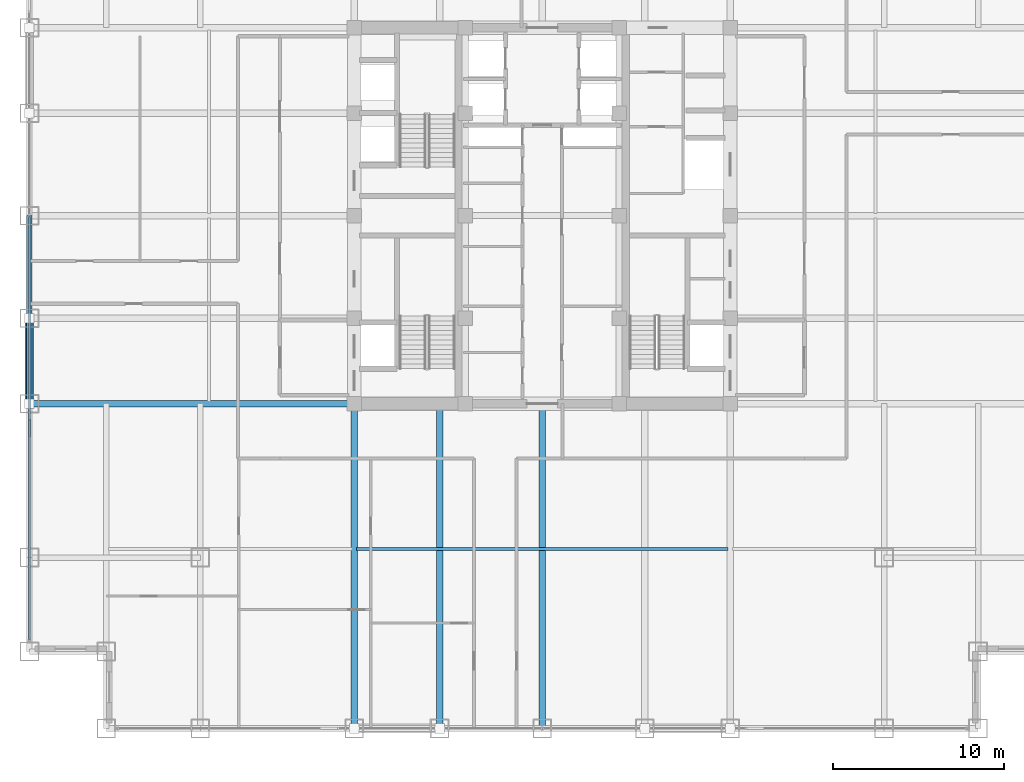
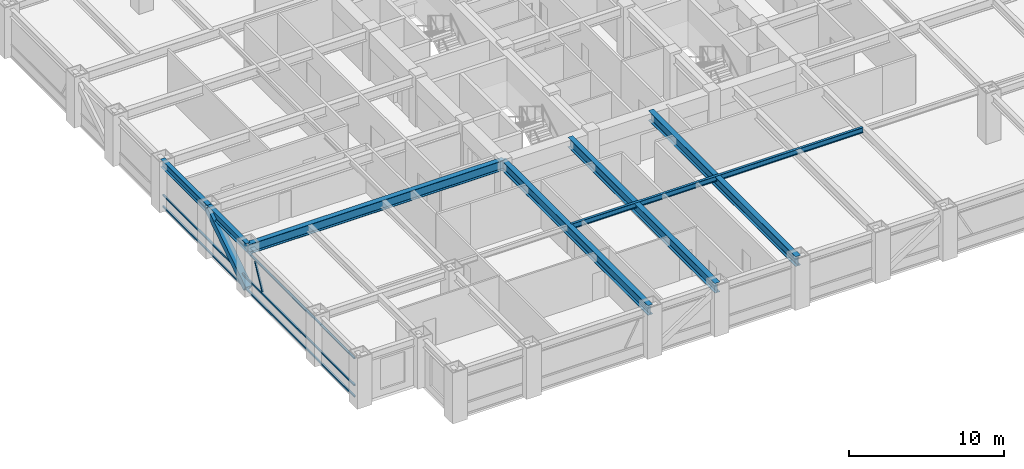
# One storey, part 5 of 24: 7 beams, 5 members, 1 element without a shape of its own.
"""IFC4 building model written with IfcOpenShell, lengths in metres."""

from ifc_helpers import new_model, si_unit, direction, frame, origin, origin_2d, place, context, subcontext, project, spatial, hollow_rectangle, i_section, extrude, source, transform, mapped, material, material_profile, profile_set, type_object, element, aggregate, save


model = new_model("IFC4")

# Units and contexts
model_context = context("Model", 3, precision=1e-05, world=origin(), true_north=direction((0.0, 1.0)))
body_context = subcontext(model_context, "Body", "Model", "MODEL_VIEW")
ifc_project = project(units=[si_unit("LENGTHUNIT", "METRE"), si_unit("AREAUNIT", "SQUARE_METRE"), si_unit("VOLUMEUNIT", "CUBIC_METRE"), si_unit("PLANEANGLEUNIT", "RADIAN"), si_unit("MASSUNIT", "GRAM", prefix="KILO")], contexts=[model_context])

# Site, building, storey
site_placement = place(None, origin())
site = spatial("IfcSite", under=ifc_project, at=site_placement, CompositionType="ELEMENT")
building_placement = place(site_placement, origin())
building = spatial("IfcBuilding", under=site, at=building_placement, Name="Khorayat Bourse Tower", CompositionType="ELEMENT")
storey_placement = place(building_placement, frame((0.0, 0.0, 171.10009765625)))
storey = spatial("IfcBuildingStorey", under=building, at=storey_placement, Name="L39", CompositionType="ELEMENT", Elevation=171.10009765625)

# Beams
ifc_material_1 = material(Name="Steel ASTM A992 Grade 50", Category="steel")
ifc_material_profile_1 = material_profile(ifc_material_1, i_section(OverallWidth=0.381103515625, OverallDepth=0.77294921875, WebThickness=0.0166015625, FlangeThickness=0.027587890625, FilletRadius=0.01806640625, at=origin_2d()), Name="W760X257")
ifc_profile_set_1 = profile_set([ifc_material_profile_1], Name="Steel ASTM A992 Grade 50")
beam_type_1 = type_object("IfcBeamType", Name="BM-GIRD-760", PredefinedType="BEAM", material=ifc_profile_set_1)
shared_shape_1 = source(origin(), body_context, "Body", "SweptSolid", [
    extrude(i_section(OverallWidth=0.381103515625, OverallDepth=0.77294921875, WebThickness=0.0166015625, FlangeThickness=0.027587890625, FilletRadius=0.01806640625, at=origin_2d()), origin(), (0.0, 0.0, 1.0), 19.0),
])
for number, where, z_axis, x_axis, name in (
    (1, (-11.0, -30.0, 3.393310546875), (0.0, 1.0, 0.0), (-1.0, 0.0, 0.0), "L39 BM-GIRD-760 BM-L39-RADY-065"),
    (2, (-6.0, -30.0, 3.393310546875), (0.0, 1.0, 0.0), (-1.0, 0.0, 0.0), "L39 BM-GIRD-760 BM-L39-RADY-067"),
    (3, (0.0, -30.0, 3.393310546875), (0.0, 1.0, 0.0), (-1.0, 0.0, 0.0), "L39 BM-GIRD-760 BM-L39-RADY-069"),
    (4, (-30.0, -11.0, 3.393310546875), (1.0, 0.0, 0.0), (0.0, 1.0, 0.0), "L39 BM-GIRD-760 BM-L39-RADX-075"),
):
    element("IfcBeam", number, at=place(storey_placement, frame(where, z_axis=z_axis, x_axis=x_axis)), inside=storey, type_object=beam_type_1, Name=name, PredefinedType="BEAM", context=body_context, shape_type="MappedRepresentation", body=[
        mapped(shared_shape_1, transform((0.0, 0.0, 0.0), scale=1.0)),
    ])
ifc_material_profile_2 = material_profile(ifc_material_1, i_section(OverallWidth=0.180908203125, OverallDepth=0.4169921875, WebThickness=0.010986328125, FlangeThickness=0.018310546875, FilletRadius=0.011962890625, at=origin_2d()), Name="W410X85")
ifc_profile_set_2 = profile_set([ifc_material_profile_2], Name="Steel ASTM A992 Grade 50")
beam_type_2 = type_object("IfcBeamType", Name="BM-JOIST-410", PredefinedType="JOIST", material=ifc_profile_set_2)
shared_shape_2 = source(origin(), body_context, "Body", "SweptSolid", [
    extrude(i_section(OverallWidth=0.180908203125, OverallDepth=0.4169921875, WebThickness=0.010986328125, FlangeThickness=0.018310546875, FilletRadius=0.011962890625, at=origin_2d()), origin(), (0.0, 0.0, 1.0), 21.740234375),
])
beam_1_placement = place(storey_placement, frame((-10.8701171875, -19.5, 3.5712890625), z_axis=(1.0, 0.0, 0.0), x_axis=(0.0, 1.0, 0.0)))
element("IfcBeam", 5, at=beam_1_placement, inside=storey, type_object=beam_type_2, Name="L39 BM-JOIST-410 BM-L39-JSTX-097", PredefinedType="JOIST", context=body_context, shape_type="MappedRepresentation", body=[
    mapped(shared_shape_2, transform((0.0, 0.0, 0.0), scale=1.0)),
])
ifc_material_profile_3 = material_profile(ifc_material_1, i_section(OverallWidth=0.324951171875, OverallDepth=0.615966796875, WebThickness=0.013916015625, FlangeThickness=0.021484375, FilletRadius=0.01611328125, at=origin_2d()), Name="W610X174")
ifc_profile_set_3 = profile_set([ifc_material_profile_3], Name="Steel ASTM A992 Grade 50")
beam_type_3 = type_object("IfcBeamType", Name="BM-SPAN-610", PredefinedType="SPANDREL", material=ifc_profile_set_3)
shared_shape_3 = source(origin(), body_context, "Body", "SweptSolid", [
    extrude(i_section(OverallWidth=0.324951171875, OverallDepth=0.615966796875, WebThickness=0.013916015625, FlangeThickness=0.021484375, FilletRadius=0.01611328125, at=origin_2d()), origin(), (0.0, 0.0, 1.0), 5.0),
])
beam_2_placement = place(storey_placement, frame((-30.0, -11.0, 3.471923828125), z_axis=(0.0, 1.0, 0.0), x_axis=(-1.0, 0.0, 0.0)))
element("IfcBeam", 6, at=beam_2_placement, inside=storey, type_object=beam_type_3, Name="L39 BM-SPAN-610 BM-L39-SPN-059", PredefinedType="SPANDREL", context=body_context, shape_type="MappedRepresentation", body=[
    mapped(shared_shape_3, transform((0.0, 0.0, 0.0), scale=1.0)),
])
shared_shape_4 = source(origin(), body_context, "Body", "SweptSolid", [
    extrude(i_section(OverallWidth=0.324951171875, OverallDepth=0.615966796875, WebThickness=0.013916015625, FlangeThickness=0.021484375, FilletRadius=0.01611328125, at=origin_2d()), origin(), (0.0, 0.0, 1.0), 6.0),
])
beam_3_placement = place(storey_placement, frame((-30.0, -6.0, 3.471923828125), z_axis=(0.0, 1.0, 0.0), x_axis=(-1.0, 0.0, 0.0)))
element("IfcBeam", 7, at=beam_3_placement, inside=storey, type_object=beam_type_3, Name="L39 BM-SPAN-610 BM-L39-SPN-058", PredefinedType="SPANDREL", context=body_context, shape_type="MappedRepresentation", body=[
    mapped(shared_shape_4, transform((0.0, 0.0, 0.0), scale=1.0)),
])

# Member
ifc_material_2 = material(Name="Steel EN 10025-4 S460M", Category="steel")
ifc_material_profile_4 = material_profile(ifc_material_2, hollow_rectangle(XDim=0.5, YDim=0.5, WallThickness=0.028076171875, at=origin_2d()), Name="HSS 500x500x28")
ifc_profile_set_4 = profile_set([ifc_material_profile_4], Name="Steel EN 10025-4 S460M")
member_type_1 = type_object("IfcMemberType", Name="MBR-TUBE-500", PredefinedType="BRACE", material=ifc_profile_set_4)
shared_shape_5 = source(origin(), body_context, "Body", "SweptSolid", [
    extrude(hollow_rectangle(XDim=0.5, YDim=0.5, WallThickness=0.028076171875, at=origin_2d()), origin(), (0.0, 0.0, 1.0), 5.979736328125),
])
member_1_placement = place(storey_placement, frame((-30.0, -11.0, 0.25), z_axis=(0.0, 0.836160261256, 0.548485202623), x_axis=(-1.0, 0.0, 0.0)))
element("IfcMember", 8, at=member_1_placement, inside=storey, type_object=member_type_1, Name="L39 Perimeter Tube Brace 05", PredefinedType="BRACE", context=body_context, shape_type="MappedRepresentation", body=[
    mapped(shared_shape_5, transform((0.0, 0.0, 0.0), scale=1.0)),
])

# Curtain wall, members
ifc_material_3 = material(Name="Aluminium EN AW-6063 T6", Category="aluminium")
curtain_wall_type = type_object("IfcCurtainWallType", Name="CW-SYS-03", PredefinedType="NOTDEFINED", material=ifc_material_3)
curtain_wall_placement = place(storey_placement, origin())
curtain_wall = element("IfcCurtainWall", 9, at=curtain_wall_placement, inside=storey, type_object=curtain_wall_type, Name="L39 Curtain Wall CW-L39-W1", PredefinedType="NOTDEFINED")
ifc_material_profile_5 = material_profile(ifc_material_3, hollow_rectangle(XDim=0.1201171875, YDim=0.1201171875, WallThickness=0.0048828125, at=origin_2d()), Name="ALU 120x120x5")
ifc_profile_set_5 = profile_set([ifc_material_profile_5], Name="Aluminium EN AW-6063 T6")
member_type_2 = type_object("IfcMemberType", Name="CWM-DIAG-120", PredefinedType="MULLION", material=ifc_profile_set_5)
shared_shape_6 = source(origin(), body_context, "Body", "SweptSolid", [
    extrude(hollow_rectangle(XDim=0.1201171875, YDim=0.1201171875, WallThickness=0.0048828125, at=origin_2d()), origin(), (0.0, 0.0, 1.0), 2.079345703125),
])
member_2_placement = place(storey_placement, frame((-30.0, -12.904296875, 1.08984375), z_axis=(0.0, 0.465760949701, 0.884910581773), x_axis=(-1.0, 0.0, 0.0)))
member_2 = element("IfcMember", 10, at=member_2_placement, type_object=member_type_2, Name="CW-L39-W1 Faceted Diagonal Mullion 1", PredefinedType="MULLION", context=body_context, shape_type="MappedRepresentation", body=[
    mapped(shared_shape_6, transform((0.0, 0.0, 0.0), scale=1.0)),
])
ifc_material_profile_6 = material_profile(ifc_material_3, hollow_rectangle(XDim=0.1201171875, YDim=0.1201171875, WallThickness=0.0048828125, at=origin_2d()), Name="ALU 120x120x5")
ifc_profile_set_6 = profile_set([ifc_material_profile_6], Name="Aluminium EN AW-6063 T6")
member_type_3 = type_object("IfcMemberType", Name="CWT-HORZ-120", PredefinedType="USERDEFINED", material=ifc_profile_set_6)
shared_shape_7 = source(origin(), body_context, "Body", "SweptSolid", [
    extrude(hollow_rectangle(XDim=0.1201171875, YDim=0.1201171875, WallThickness=0.0048828125, at=origin_2d()), origin(), (0.0, 0.0, 1.0), 24.719970703125),
])
member_3_placement = place(storey_placement, frame((-30.0, -24.780029296875, 0.059814453125), z_axis=(0.0, 1.0, 0.0), x_axis=(-1.0, 0.0, 0.0)))
member_3 = element("IfcMember", 11, at=member_3_placement, type_object=member_type_3, Name="CW-L39-W1 Horizontal Transom 1-1", ObjectType="TRANSOM", PredefinedType="USERDEFINED", context=body_context, shape_type="MappedRepresentation", body=[
    mapped(shared_shape_7, transform((0.0, 0.0, 0.0), scale=1.0)),
])
member_4_placement = place(storey_placement, frame((-30.0, -24.780029296875, 0.949951171875), z_axis=(0.0, 1.0, 0.0), x_axis=(-1.0, 0.0, 0.0)))
member_4 = element("IfcMember", 12, at=member_4_placement, type_object=member_type_3, Name="CW-L39-W1 Horizontal Transom 1-2", ObjectType="TRANSOM", PredefinedType="USERDEFINED", context=body_context, shape_type="MappedRepresentation", body=[
    mapped(shared_shape_7, transform((0.0, 0.0, 0.0), scale=1.0)),
])
member_5_placement = place(storey_placement, frame((-30.0, -24.780029296875, 3.06982421875), z_axis=(0.0, 1.0, 0.0), x_axis=(-1.0, 0.0, 0.0)))
member_5 = element("IfcMember", 13, at=member_5_placement, type_object=member_type_3, Name="CW-L39-W1 Horizontal Transom 1-3", ObjectType="TRANSOM", PredefinedType="USERDEFINED", context=body_context, shape_type="MappedRepresentation", body=[
    mapped(shared_shape_7, transform((0.0, 0.0, 0.0), scale=1.0)),
])
aggregate(curtain_wall, [member_3, member_4, member_5, member_2])

save(model, "model.ifc")
